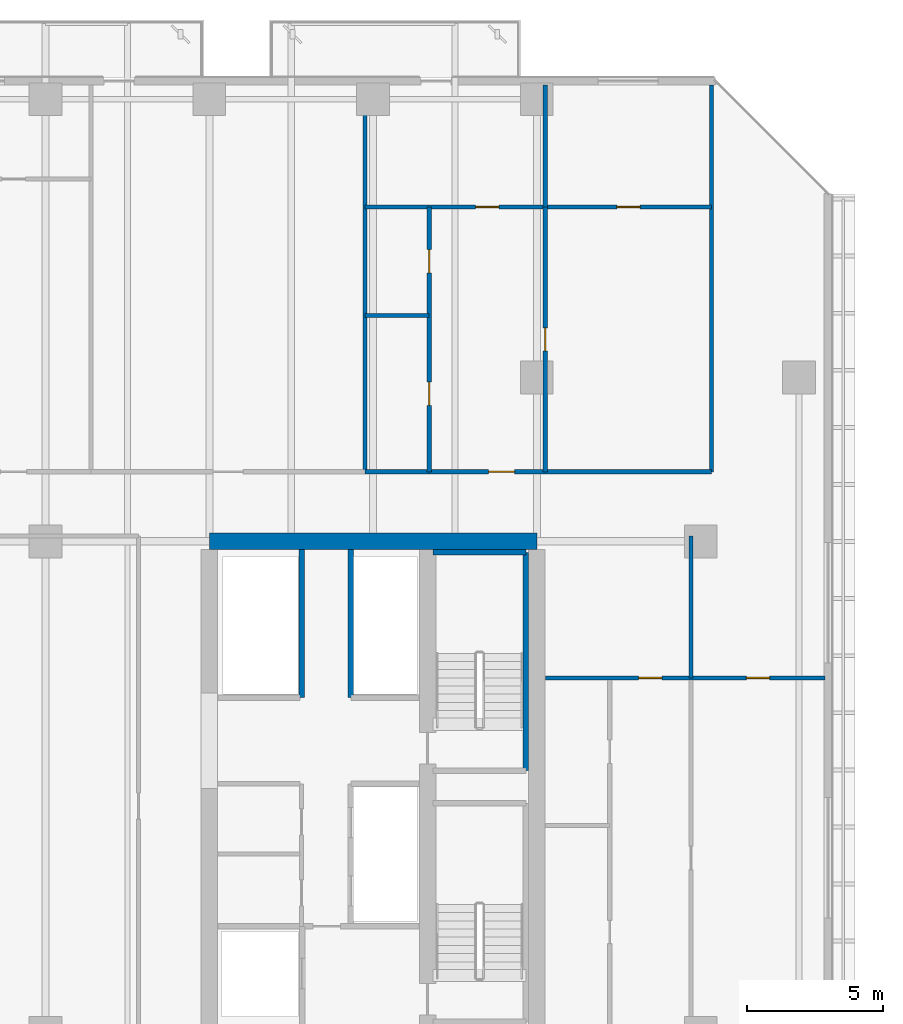
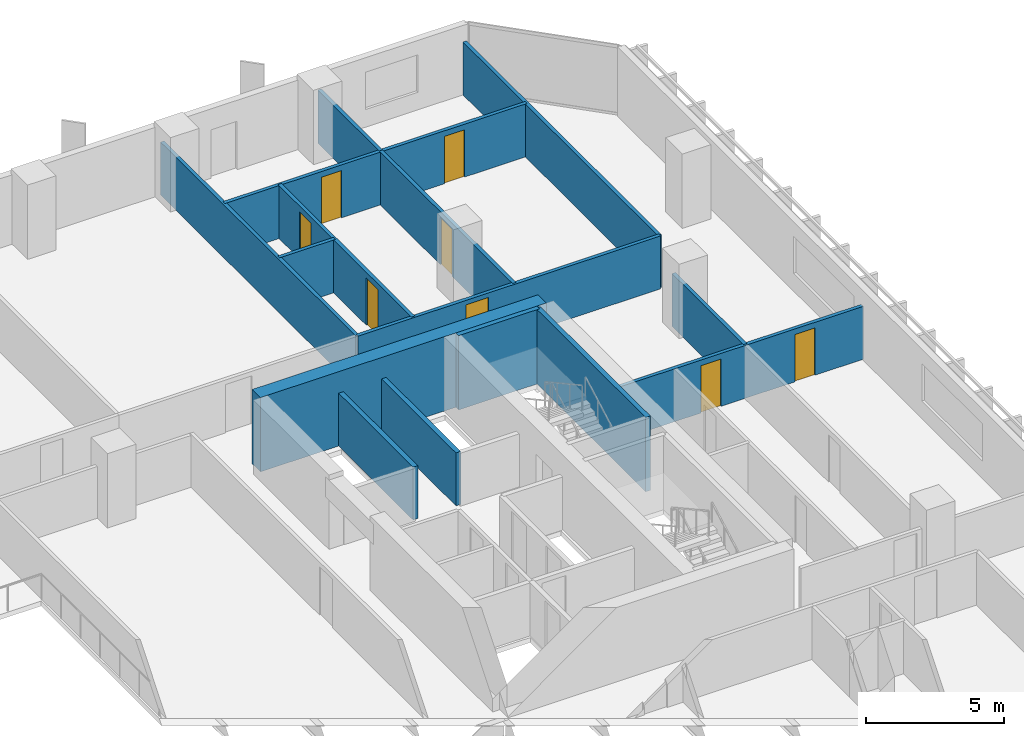
# One storey, part 23 of 33: 15 walls, 8 doors, 8 openings.
"""IFC4 building model written with IfcOpenShell, lengths in metres."""

from ifc_helpers import new_model, si_unit, direction, frame, frame_2d, origin, place, context, subcontext, project, spatial, rectangle, extrude, material, layer, layer_set, type_object, element, fill, save


model = new_model("IFC4")

# Units and contexts
model_context = context("Model", 3, precision=1e-05, world=origin(), true_north=direction((0.0, 1.0)))
body_context = subcontext(model_context, "Body", "Model", "MODEL_VIEW")
ifc_project = project(units=[si_unit("LENGTHUNIT", "METRE"), si_unit("AREAUNIT", "SQUARE_METRE"), si_unit("VOLUMEUNIT", "CUBIC_METRE"), si_unit("PLANEANGLEUNIT", "RADIAN"), si_unit("MASSUNIT", "GRAM", prefix="KILO")], contexts=[model_context])

# Site, building, storey
site_placement = place(None, origin())
site = spatial("IfcSite", under=ifc_project, at=site_placement, CompositionType="ELEMENT")
building_placement = place(site_placement, origin())
building = spatial("IfcBuilding", under=site, at=building_placement, Name="Tanjung Sevakor Pilgrim Tower", CompositionType="ELEMENT")
storey_placement = place(building_placement, frame((0.0, 0.0, 35.639892578125)))
storey = spatial("IfcBuildingStorey", under=building, at=storey_placement, Name="L09", CompositionType="ELEMENT", Elevation=35.639892578125)

# Walls
ifc_material_1 = material(Name="Concrete C60/75", Category="concrete")
ifc_layer_1 = layer(ifc_material_1, 0.60009765625)
ifc_layer_set_1 = layer_set([ifc_layer_1], Name="WALL-CW-600")
wall_type_1 = type_object("IfcWallType", Name="WALL-CW-600", PredefinedType="SHEAR", material=ifc_layer_set_1)
wall_1_placement = place(storey_placement, frame((90.0, 42.60009765625, 0.0), z_axis=(0.0, 0.0, 1.0), x_axis=(-1.0, 0.0, 0.0)))
element("IfcWall", 1, at=wall_1_placement, inside=storey, type_object=wall_type_1, Name="L09 E Core North Shear Wall", PredefinedType="SHEAR", context=body_context, shape_type="SweptSolid", body=[
    extrude(rectangle(XDim=12.0, YDim=0.60009765625, at=frame_2d((6.0, 0.0))), origin(), (0.0, 0.0, 1.0), 3.300048828125),
])
ifc_material_2 = material(Name="Concrete C40/50", Category="concrete")
ifc_layer_2 = layer(ifc_material_2, 0.14990234375)
ifc_layer_set_2 = layer_set([ifc_layer_2], Name="WT-COMP-150")
wall_type_2 = type_object("IfcWallType", Name="WT-COMP-150", PredefinedType="SOLIDWALL", material=ifc_layer_set_2)
for number, where, z_axis, x_axis, name in (
    (2, (96.39990234375, 45.14990234375, 0.0), (0.0, 0.0, 1.0), (0.0, 1.0, 0.0), "L09 Partition IW-L09-091"),
    (3, (83.706298828125, 45.14990234375, 0.0), (0.0, 0.0, 1.0), (0.0, 1.0, 0.0), "L09 Partition IW-L09-104"),
):
    element("IfcWall", number, at=place(storey_placement, frame(where, z_axis=z_axis, x_axis=x_axis)), inside=storey, type_object=wall_type_2, Name=name, PredefinedType="SOLIDWALL", context=body_context, shape_type="SweptSolid", body=[
        extrude(rectangle(XDim=14.170166015625, YDim=0.14990234375, at=frame_2d((7.0849609375, 0.0))), origin(), (0.0, 0.0, 1.0), 2.35009765625),
    ])

# Wall, opening, door
wall_2_placement = place(storey_placement, frame((83.706298828125, 45.14990234375, 0.0), z_axis=(0.0, 0.0, 1.0), x_axis=(1.0, 0.0, 0.0)))
wall_2 = element("IfcWall", 4, at=wall_2_placement, inside=storey, type_object=wall_type_2, Name="L09 Partition IW-L09-111", PredefinedType="SOLIDWALL", context=body_context, shape_type="SweptSolid", body=[
    extrude(rectangle(XDim=12.693603515625, YDim=0.14990234375, at=frame_2d((6.3466796875, 0.0))), origin(), (0.0, 0.0, 1.0), 2.35009765625),
])
opening_1_placement = place(wall_2_placement, frame((4.52587890625, 0.0, 0.0)))
opening_1 = element("IfcOpeningElement", 5, at=opening_1_placement, cuts=wall_2, Name="Opening ID-FD2", PredefinedType="OPENING", context=body_context, shape_type="SweptSolid", body=[
    extrude(rectangle(XDim=0.949951171875, YDim=2.14990234375, at=frame_2d((0.47509765625, 1.074951171875))), frame((0.0, 0.0849609375, 0.0), z_axis=(0.0, -1.0, 0.0), x_axis=(1.0, 0.0, 0.0)), (0.0, 0.0, 1.0), 0.169921875),
])
ifc_material_3 = material(Name="Fire-Rated Timber", Category="wood")
door_type_1 = type_object("IfcDoorType", Name="DT-FIRE-950", OperationType="NOTDEFINED", PredefinedType="DOOR", material=ifc_material_3)
door_1_placement = place(opening_1_placement, origin())
door_1 = element("IfcDoor", 6, at=door_1_placement, inside=storey, type_object=door_type_1, Name="Suite Entrance", OperationType="SINGLE_SWING_RIGHT", OverallHeight=2.14990234375, OverallWidth=0.949951171875, PredefinedType="DOOR", context=body_context, shape_type="SweptSolid", body=[
    extrude(rectangle(XDim=0.949951171875, YDim=2.14990234375, at=frame_2d((0.47509765625, 1.074951171875))), frame((0.0, 0.02490234375, 0.0), z_axis=(0.0, -1.0, 0.0), x_axis=(1.0, 0.0, 0.0)), (0.0, 0.0, 1.0), 0.050048828125),
])
fill(opening_1, door_1)

# Walls
ifc_material_4 = material(Name="Concrete C40/50", Category="concrete")
ifc_layer_3 = layer(ifc_material_4, 0.199951171875)
ifc_layer_set_3 = layer_set([ifc_layer_3], Name="WT-FIRE-200")
wall_type_3 = type_object("IfcWallType", Name="WT-FIRE-200", PredefinedType="SOLIDWALL", material=ifc_layer_set_3)
wall_3_placement = place(storey_placement, frame((89.60009765625, 34.199951171875, 0.0), z_axis=(0.0, 0.0, 1.0), x_axis=(0.0, 1.0, 0.0)))
element("IfcWall", 7, at=wall_3_placement, inside=storey, type_object=wall_type_3, Name="L09 TS-E2 Shaft Wall 2", PredefinedType="SOLIDWALL", context=body_context, shape_type="SweptSolid", body=[
    extrude(rectangle(XDim=8.0, YDim=0.199951171875, at=frame_2d((4.0, 0.0))), origin(), (0.0, 0.0, 1.0), 3.300048828125),
])
wall_4_placement = place(storey_placement, frame((89.60009765625, 42.199951171875, 0.0), z_axis=(0.0, 0.0, 1.0), x_axis=(-1.0, 0.0, 0.0)))
element("IfcWall", 8, at=wall_4_placement, inside=storey, type_object=wall_type_3, Name="L09 TS-E2 Shaft Wall 3", PredefinedType="SOLIDWALL", context=body_context, shape_type="SweptSolid", body=[
    extrude(rectangle(XDim=3.400146484375, YDim=0.199951171875, at=frame_2d((1.7001953125, 0.0))), origin(), (0.0, 0.0, 1.0), 3.300048828125),
])
ifc_material_5 = material(Name="Concrete C40/50", Category="concrete")
ifc_layer_4 = layer(ifc_material_5, 0.199951171875)
ifc_layer_set_4 = layer_set([ifc_layer_4], Name="WT-FPRT-200")
wall_type_4 = type_object("IfcWallType", Name="WT-FPRT-200", PredefinedType="SOLIDWALL", material=ifc_layer_set_4)
for number, where, z_axis, x_axis, name in (
    (9, (83.179931640625, 36.8798828125, 0.0), (0.0, 0.0, 1.0), (0.0, 1.0, 0.0), "L09 Partition IW-L09-020"),
    (10, (81.3798828125, 36.8798828125, 0.0), (0.0, 0.0, 1.0), (0.0, 1.0, 0.0), "L09 Partition IW-L09-022"),
):
    element("IfcWall", number, at=place(storey_placement, frame(where, z_axis=z_axis, x_axis=x_axis)), inside=storey, type_object=wall_type_4, Name=name, PredefinedType="SOLIDWALL", context=body_context, shape_type="SweptSolid", body=[
        extrude(rectangle(XDim=5.420166015625, YDim=0.199951171875, at=frame_2d((2.7099609375, 0.0))), origin(), (0.0, 0.0, 1.0), 2.35009765625),
    ])
ifc_material_6 = material(Name="Gypsum Board Partition", Category="gypsum board")
ifc_layer_5 = layer(ifc_material_6, 0.14990234375)
ifc_layer_set_5 = layer_set([ifc_layer_5], Name="WT-PART-150")
wall_type_5 = type_object("IfcWallType", Name="WT-PART-150", PredefinedType="PARTITIONING", material=ifc_layer_set_5)
wall_5_placement = place(storey_placement, frame((95.644775390625, 37.60009765625, 0.0), z_axis=(0.0, 0.0, 1.0), x_axis=(0.0, 1.0, 0.0)))
element("IfcWall", 11, at=wall_5_placement, inside=storey, type_object=wall_type_5, Name="L09 Partition IW-L09-035", PredefinedType="PARTITIONING", context=body_context, shape_type="SweptSolid", body=[
    extrude(rectangle(XDim=5.199951171875, YDim=0.14990234375, at=frame_2d((2.60009765625, 0.0))), origin(), (0.0, 0.0, 1.0), 2.35009765625),
])

# Wall, openings, doors
wall_6_placement = place(storey_placement, frame((90.320068359375, 37.60009765625, 0.0), z_axis=(0.0, 0.0, 1.0), x_axis=(1.0, 0.0, 0.0)))
wall_6 = element("IfcWall", 12, at=wall_6_placement, inside=storey, type_object=wall_type_5, Name="L09 Partition IW-L09-036", PredefinedType="PARTITIONING", context=body_context, shape_type="SweptSolid", body=[
    extrude(rectangle(XDim=10.239990234375, YDim=0.14990234375, at=frame_2d((5.1201171875, 0.0))), origin(), (0.0, 0.0, 1.0), 2.35009765625),
])
opening_2_placement = place(wall_6_placement, frame((3.412353515625, 0.0, 0.0)))
opening_2 = element("IfcOpeningElement", 13, at=opening_2_placement, cuts=wall_6, Name="Opening ID-WC1", PredefinedType="OPENING", context=body_context, shape_type="SweptSolid", body=[
    extrude(rectangle(XDim=0.85009765625, YDim=2.10009765625, at=frame_2d((0.425048828125, 1.050048828125))), frame((0.0, 0.0849609375, 0.0), z_axis=(0.0, -1.0, 0.0), x_axis=(1.0, 0.0, 0.0)), (0.0, 0.0, 1.0), 0.169921875),
])
opening_3_placement = place(wall_6_placement, frame((7.357421875, 0.0, 0.0)))
opening_3 = element("IfcOpeningElement", 14, at=opening_3_placement, cuts=wall_6, Name="Opening ID-WC1", PredefinedType="OPENING", context=body_context, shape_type="SweptSolid", body=[
    extrude(rectangle(XDim=0.85009765625, YDim=2.10009765625, at=frame_2d((0.425048828125, 1.050048828125))), frame((0.0, 0.0849609375, 0.0), z_axis=(0.0, -1.0, 0.0), x_axis=(1.0, 0.0, 0.0)), (0.0, 0.0, 1.0), 0.169921875),
])
ifc_material_7 = material(Name="Moisture-Resistant Timber", Category="wood")
door_type_2 = type_object("IfcDoorType", Name="DT-INT-850", OperationType="NOTDEFINED", PredefinedType="DOOR", material=ifc_material_7)
door_2_placement = place(opening_2_placement, origin())
door_2 = element("IfcDoor", 15, at=door_2_placement, inside=storey, type_object=door_type_2, Name="Suite Bedroom 1 Door", OperationType="SINGLE_SWING_RIGHT", OverallHeight=2.10009765625, OverallWidth=0.85009765625, PredefinedType="DOOR", context=body_context, shape_type="SweptSolid", body=[
    extrude(rectangle(XDim=0.85009765625, YDim=2.10009765625, at=frame_2d((0.425048828125, 1.050048828125))), frame((0.0, 0.02490234375, 0.0), z_axis=(0.0, -1.0, 0.0), x_axis=(1.0, 0.0, 0.0)), (0.0, 0.0, 1.0), 0.050048828125),
])
fill(opening_2, door_2)
door_3_placement = place(opening_3_placement, origin())
door_3 = element("IfcDoor", 16, at=door_3_placement, inside=storey, type_object=door_type_2, Name="Suite Bedroom 2 Door", OperationType="SINGLE_SWING_LEFT", OverallHeight=2.10009765625, OverallWidth=0.85009765625, PredefinedType="DOOR", context=body_context, shape_type="SweptSolid", body=[
    extrude(rectangle(XDim=0.85009765625, YDim=2.10009765625, at=frame_2d((0.425048828125, 1.050048828125))), frame((0.0, 0.02490234375, 0.0), z_axis=(0.0, -1.0, 0.0), x_axis=(1.0, 0.0, 0.0)), (0.0, 0.0, 1.0), 0.050048828125),
])
fill(opening_3, door_3)

# Wall, opening, door
wall_7_placement = place(storey_placement, frame((90.30712890625, 45.14990234375, 0.0), z_axis=(0.0, 0.0, 1.0), x_axis=(0.0, 1.0, 0.0)))
wall_7 = element("IfcWall", 17, at=wall_7_placement, inside=storey, type_object=wall_type_5, Name="L09 Partition IW-L09-106", PredefinedType="PARTITIONING", context=body_context, shape_type="SweptSolid", body=[
    extrude(rectangle(XDim=9.700927734375, YDim=0.14990234375, at=frame_2d((4.8505859375, 0.0))), origin(), (0.0, 0.0, 1.0), 2.35009765625),
])
opening_4_placement = place(wall_7_placement, frame((4.42529296875, 0.0, 0.0)))
opening_4 = element("IfcOpeningElement", 18, at=opening_4_placement, cuts=wall_7, Name="Opening ID-WC1", PredefinedType="OPENING", context=body_context, shape_type="SweptSolid", body=[
    extrude(rectangle(XDim=0.85009765625, YDim=2.10009765625, at=frame_2d((0.425048828125, 1.050048828125))), frame((0.0, 0.0849609375, 0.0), z_axis=(0.0, -1.0, 0.0), x_axis=(1.0, 0.0, 0.0)), (0.0, 0.0, 1.0), 0.169921875),
])
door_4_placement = place(opening_4_placement, origin())
door_4 = element("IfcDoor", 19, at=door_4_placement, inside=storey, type_object=door_type_2, Name="Suite Study Room Door", OperationType="SINGLE_SWING_LEFT", OverallHeight=2.10009765625, OverallWidth=0.85009765625, PredefinedType="DOOR", context=body_context, shape_type="SweptSolid", body=[
    extrude(rectangle(XDim=0.85009765625, YDim=2.10009765625, at=frame_2d((0.425048828125, 1.050048828125))), frame((0.0, 0.02490234375, 0.0), z_axis=(0.0, -1.0, 0.0), x_axis=(1.0, 0.0, 0.0)), (0.0, 0.0, 1.0), 0.050048828125),
])
fill(opening_4, door_4)

# Wall
wall_8_placement = place(storey_placement, frame((83.706298828125, 50.87353515625, 0.0), z_axis=(0.0, 0.0, 1.0), x_axis=(1.0, 0.0, 0.0)))
element("IfcWall", 20, at=wall_8_placement, inside=storey, type_object=wall_type_5, Name="L09 Partition IW-L09-107", PredefinedType="PARTITIONING", context=body_context, shape_type="SweptSolid", body=[
    extrude(rectangle(XDim=2.35009765625, YDim=0.14990234375, at=frame_2d((1.175048828125, 0.0))), origin(), (0.0, 0.0, 1.0), 2.35009765625),
])

# Wall, openings, doors
wall_9_placement = place(storey_placement, frame((86.056396484375, 45.14990234375, 0.0), z_axis=(0.0, 0.0, 1.0), x_axis=(0.0, 1.0, 0.0)))
wall_9 = element("IfcWall", 21, at=wall_9_placement, inside=storey, type_object=wall_type_5, Name="L09 Partition IW-L09-108", PredefinedType="PARTITIONING", context=body_context, shape_type="SweptSolid", body=[
    extrude(rectangle(XDim=9.700927734375, YDim=0.14990234375, at=frame_2d((4.8505859375, 0.0))), origin(), (0.0, 0.0, 1.0), 2.35009765625),
])
opening_5_placement = place(wall_9_placement, frame((2.436767578125, 0.0, 0.0)))
opening_5 = element("IfcOpeningElement", 22, at=opening_5_placement, cuts=wall_9, Name="Opening ID-WC1", PredefinedType="OPENING", context=body_context, shape_type="SweptSolid", body=[
    extrude(rectangle(XDim=0.85009765625, YDim=2.10009765625, at=frame_2d((0.425048828125, 1.050048828125))), frame((0.0, 0.0849609375, 0.0), z_axis=(0.0, -1.0, 0.0), x_axis=(1.0, 0.0, 0.0)), (0.0, 0.0, 1.0), 0.169921875),
])
opening_6_placement = place(wall_9_placement, frame((7.287109375, 0.0, 0.0)))
opening_6 = element("IfcOpeningElement", 23, at=opening_6_placement, cuts=wall_9, Name="Opening ID-WC1", PredefinedType="OPENING", context=body_context, shape_type="SweptSolid", body=[
    extrude(rectangle(XDim=0.85009765625, YDim=2.10009765625, at=frame_2d((0.425048828125, 1.050048828125))), frame((0.0, 0.0849609375, 0.0), z_axis=(0.0, -1.0, 0.0), x_axis=(1.0, 0.0, 0.0)), (0.0, 0.0, 1.0), 0.169921875),
])
door_5_placement = place(opening_5_placement, origin())
door_5 = element("IfcDoor", 24, at=door_5_placement, inside=storey, type_object=door_type_2, Name="Suite Kitchenette Door", OperationType="SINGLE_SWING_RIGHT", OverallHeight=2.10009765625, OverallWidth=0.85009765625, PredefinedType="DOOR", context=body_context, shape_type="SweptSolid", body=[
    extrude(rectangle(XDim=0.85009765625, YDim=2.10009765625, at=frame_2d((0.425048828125, 1.050048828125))), frame((0.0, 0.02490234375, 0.0), z_axis=(0.0, -1.0, 0.0), x_axis=(1.0, 0.0, 0.0)), (0.0, 0.0, 1.0), 0.050048828125),
])
fill(opening_5, door_5)
door_6_placement = place(opening_6_placement, origin())
door_6 = element("IfcDoor", 25, at=door_6_placement, inside=storey, type_object=door_type_2, Name="Suite Bathroom Door", OperationType="SINGLE_SWING_LEFT", OverallHeight=2.10009765625, OverallWidth=0.85009765625, PredefinedType="DOOR", context=body_context, shape_type="SweptSolid", body=[
    extrude(rectangle(XDim=0.85009765625, YDim=2.10009765625, at=frame_2d((0.425048828125, 1.050048828125))), frame((0.0, 0.02490234375, 0.0), z_axis=(0.0, -1.0, 0.0), x_axis=(1.0, 0.0, 0.0)), (0.0, 0.0, 1.0), 0.050048828125),
])
fill(opening_6, door_6)

# Wall
wall_10_placement = place(storey_placement, frame((90.30712890625, 54.850830078125, 0.0), z_axis=(0.0, 0.0, 1.0), x_axis=(0.0, 1.0, 0.0)))
element("IfcWall", 26, at=wall_10_placement, inside=storey, type_object=wall_type_5, Name="L09 Partition IW-L09-109", PredefinedType="PARTITIONING", context=body_context, shape_type="SweptSolid", body=[
    extrude(rectangle(XDim=4.46923828125, YDim=0.14990234375, at=frame_2d((2.234619140625, 0.0))), origin(), (0.0, 0.0, 1.0), 2.35009765625),
])

# Wall, openings, doors
wall_11_placement = place(storey_placement, frame((83.706298828125, 54.850830078125, 0.0), z_axis=(0.0, 0.0, 1.0), x_axis=(1.0, 0.0, 0.0)))
wall_11 = element("IfcWall", 27, at=wall_11_placement, inside=storey, type_object=wall_type_5, Name="L09 Partition IW-L09-110", PredefinedType="PARTITIONING", context=body_context, shape_type="SweptSolid", body=[
    extrude(rectangle(XDim=12.693603515625, YDim=0.14990234375, at=frame_2d((6.3466796875, 0.0))), origin(), (0.0, 0.0, 1.0), 2.35009765625),
])
opening_7_placement = place(wall_11_placement, frame((4.05029296875, 0.0, 0.0)))
opening_7 = element("IfcOpeningElement", 28, at=opening_7_placement, cuts=wall_11, Name="Opening ID-WC1", PredefinedType="OPENING", context=body_context, shape_type="SweptSolid", body=[
    extrude(rectangle(XDim=0.85009765625, YDim=2.10009765625, at=frame_2d((0.425048828125, 1.050048828125))), frame((0.0, 0.0849609375, 0.0), z_axis=(0.0, -1.0, 0.0), x_axis=(1.0, 0.0, 0.0)), (0.0, 0.0, 1.0), 0.169921875),
])
opening_8_placement = place(wall_11_placement, frame((9.22216796875, 0.0, 0.0)))
opening_8 = element("IfcOpeningElement", 29, at=opening_8_placement, cuts=wall_11, Name="Opening ID-WC1", PredefinedType="OPENING", context=body_context, shape_type="SweptSolid", body=[
    extrude(rectangle(XDim=0.85009765625, YDim=2.10009765625, at=frame_2d((0.425048828125, 1.050048828125))), frame((0.0, 0.0849609375, 0.0), z_axis=(0.0, -1.0, 0.0), x_axis=(1.0, 0.0, 0.0)), (0.0, 0.0, 1.0), 0.169921875),
])
door_7_placement = place(opening_7_placement, origin())
door_7 = element("IfcDoor", 30, at=door_7_placement, inside=storey, type_object=door_type_2, Name="Suite Bedroom 1 Door", OperationType="SINGLE_SWING_RIGHT", OverallHeight=2.10009765625, OverallWidth=0.85009765625, PredefinedType="DOOR", context=body_context, shape_type="SweptSolid", body=[
    extrude(rectangle(XDim=0.85009765625, YDim=2.10009765625, at=frame_2d((0.425048828125, 1.050048828125))), frame((0.0, 0.02490234375, 0.0), z_axis=(0.0, -1.0, 0.0), x_axis=(1.0, 0.0, 0.0)), (0.0, 0.0, 1.0), 0.050048828125),
])
fill(opening_7, door_7)
door_8_placement = place(opening_8_placement, origin())
door_8 = element("IfcDoor", 31, at=door_8_placement, inside=storey, type_object=door_type_2, Name="Suite Bedroom 2 Door", OperationType="SINGLE_SWING_LEFT", OverallHeight=2.10009765625, OverallWidth=0.85009765625, PredefinedType="DOOR", context=body_context, shape_type="SweptSolid", body=[
    extrude(rectangle(XDim=0.85009765625, YDim=2.10009765625, at=frame_2d((0.425048828125, 1.050048828125))), frame((0.0, 0.02490234375, 0.0), z_axis=(0.0, -1.0, 0.0), x_axis=(1.0, 0.0, 0.0)), (0.0, 0.0, 1.0), 0.050048828125),
])
fill(opening_8, door_8)

save(model, "model.ifc")
